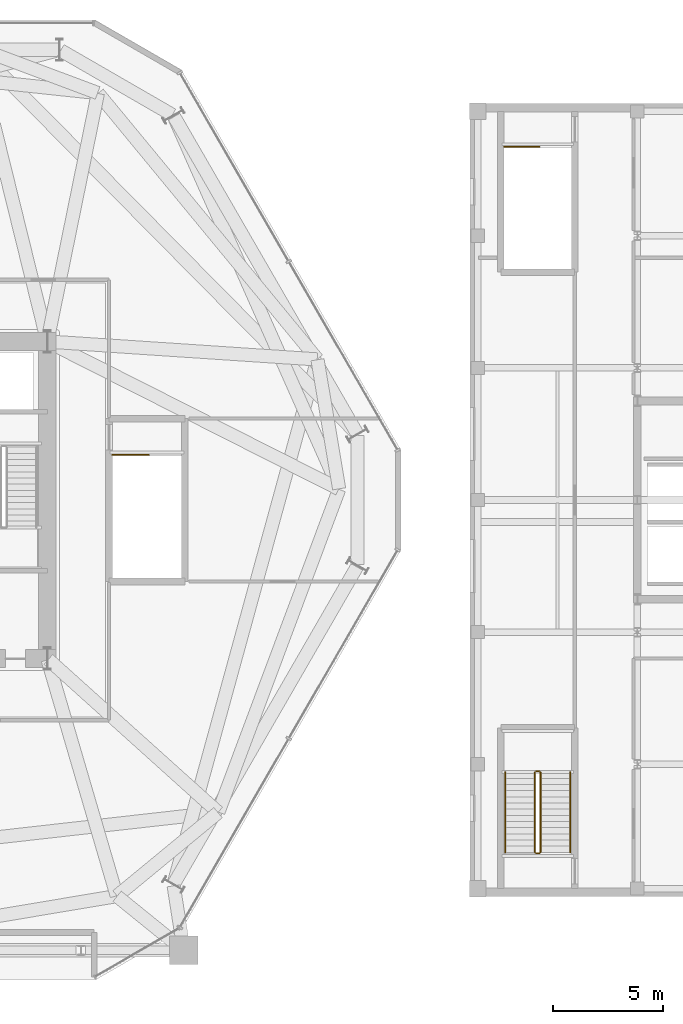
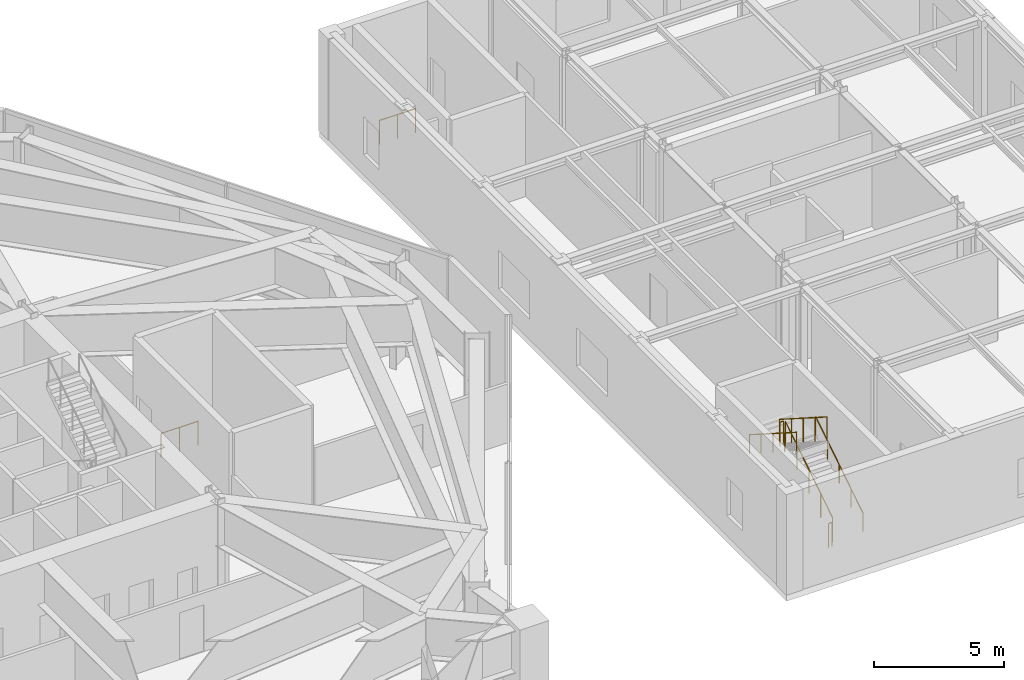
# One storey, part 16 of 16: 8 railings.
"""IFC4 building model written with IfcOpenShell, lengths in metres."""

from ifc_helpers import new_model, si_unit, direction, frame, origin, origin_2d, place, context, subcontext, project, spatial, circle, extrude, material, type_object, element, save


model = new_model("IFC4")

# Units and contexts
model_context = context("Model", 3, precision=1e-05, world=origin(), true_north=direction((0.0, 1.0)))
body_context = subcontext(model_context, "Body", "Model", "MODEL_VIEW")
ifc_project = project(units=[si_unit("LENGTHUNIT", "METRE"), si_unit("AREAUNIT", "SQUARE_METRE"), si_unit("VOLUMEUNIT", "CUBIC_METRE"), si_unit("PLANEANGLEUNIT", "RADIAN"), si_unit("MASSUNIT", "GRAM", prefix="KILO")], contexts=[model_context])

# Site, building, storey
site_placement = place(None, origin())
site = spatial("IfcSite", under=ifc_project, at=site_placement, CompositionType="ELEMENT")
building_placement = place(site_placement, origin())
building = spatial("IfcBuilding", under=site, at=building_placement, Name="Kranzbogen Civic Tower", CompositionType="ELEMENT")
storey_placement = place(building_placement, frame((0.0, 0.0, 19.0)))
storey = spatial("IfcBuildingStorey", under=building, at=storey_placement, Name="L04", CompositionType="ELEMENT", Elevation=19.0)

# Railings
ifc_material_1 = material(Name="Steel S355", Category="steel")
railing_type_1 = type_object("IfcRailingType", Name="Internal Stair and Void Steel Guardrail 1150", PredefinedType="GUARDRAIL", material=ifc_material_1)
railing_1_placement = place(storey_placement, frame((35.75, 27.050048828125, 0.0)))
element("IfcRailing", 1, at=railing_1_placement, inside=storey, type_object=railing_type_1, Name="L04 ST-P2 top well guard 1", PredefinedType="GUARDRAIL", context=body_context, shape_type="SweptSolid", body=[
    extrude(circle(Radius=0.02392578125, at=origin_2d()), frame((0.0, 0.0, 1.1259765625), z_axis=(1.0, 0.0, 0.0), x_axis=(0.0, 1.0, 0.0)), (0.0, 0.0, 1.0), 1.64990234375),
    extrude(circle(Radius=0.02099609375, at=origin_2d()), origin(), (0.0, 0.0, 1.0), 1.101806640625),
    extrude(circle(Radius=0.02099609375, at=origin_2d()), frame((0.824951171875, 0.0, 0.0)), (0.0, 0.0, 1.0), 1.101806640625),
    extrude(circle(Radius=0.02099609375, at=origin_2d()), frame((1.64990234375, 0.0, 0.0)), (0.0, 0.0, 1.0), 1.101806640625),
])
railing_2_placement = place(storey_placement, frame((55.199951171875, 9.0, 0.178466796875)))
element("IfcRailing", 2, at=railing_2_placement, inside=storey, type_object=railing_type_1, Name="L04 ST-H1 stair guard 1", PredefinedType="GUARDRAIL", context=body_context, shape_type="SweptSolid", body=[
    extrude(circle(Radius=0.02392578125, at=origin_2d()), frame((0.0, 0.0, 1.1259765625), z_axis=(0.0, 0.843111507901, 0.53773877045), x_axis=(-1.0, 0.0, 0.0)), (0.0, 0.0, 1.0), 4.317138671875),
    extrude(circle(Radius=0.02099609375, at=origin_2d()), origin(), (0.0, 0.0, 1.0), 1.101806640625),
    extrude(circle(Radius=0.02099609375, at=origin_2d()), frame((0.0, 0.909912109375, 0.580322265625)), (0.0, 0.0, 1.0), 1.101806640625),
    extrude(circle(Radius=0.02099609375, at=origin_2d()), frame((0.0, 1.81982421875, 1.16064453125)), (0.0, 0.0, 1.0), 1.101806640625),
    extrude(circle(Radius=0.02099609375, at=origin_2d()), frame((0.0, 2.72998046875, 1.7412109375)), (0.0, 0.0, 1.0), 1.101806640625),
    extrude(circle(Radius=0.02099609375, at=origin_2d()), frame((0.0, 3.639892578125, 2.321533203125)), (0.0, 0.0, 1.0), 1.101806640625),
])
railing_3_placement = place(storey_placement, frame((55.14990234375, 12.68994140625, 2.5)))
element("IfcRailing", 3, at=railing_3_placement, inside=storey, type_object=railing_type_1, Name="L04 ST-H1 stair guard 2", PredefinedType="GUARDRAIL", context=body_context, shape_type="SweptSolid", body=[
    extrude(circle(Radius=0.02392578125, at=origin_2d()), frame((0.0, 0.0, 1.1259765625), z_axis=(-1.0, 0.0, 0.0), x_axis=(0.0, -1.0, 0.0)), (0.0, 0.0, 1.0), 0.14990234375),
    extrude(circle(Radius=0.02099609375, at=origin_2d()), origin(), (0.0, 0.0, 1.0), 1.101806640625),
    extrude(circle(Radius=0.02099609375, at=origin_2d()), frame((-0.14990234375, 0.0, 0.0)), (0.0, 0.0, 1.0), 1.101806640625),
])
railing_4_placement = place(storey_placement, frame((54.949951171875, 12.639892578125, 2.678466796875)))
element("IfcRailing", 4, at=railing_4_placement, inside=storey, type_object=railing_type_1, Name="L04 ST-H1 stair guard 3", PredefinedType="GUARDRAIL", context=body_context, shape_type="SweptSolid", body=[
    extrude(circle(Radius=0.02392578125, at=origin_2d()), frame((0.0, 0.0, 1.1259765625), z_axis=(0.0, -0.843111507901, 0.53773877045), x_axis=(1.0, 0.0, 0.0)), (0.0, 0.0, 1.0), 4.317138671875),
    extrude(circle(Radius=0.02099609375, at=origin_2d()), origin(), (0.0, 0.0, 1.0), 1.101806640625),
    extrude(circle(Radius=0.02099609375, at=origin_2d()), frame((0.0, -0.909912109375, 0.580322265625)), (0.0, 0.0, 1.0), 1.101806640625),
    extrude(circle(Radius=0.02099609375, at=origin_2d()), frame((0.0, -1.81982421875, 1.16064453125)), (0.0, 0.0, 1.0), 1.101806640625),
    extrude(circle(Radius=0.02099609375, at=origin_2d()), frame((0.0, -2.72998046875, 1.7412109375)), (0.0, 0.0, 1.0), 1.101806640625),
    extrude(circle(Radius=0.02099609375, at=origin_2d()), frame((0.0, -3.639892578125, 2.321533203125)), (0.0, 0.0, 1.0), 1.101806640625),
])
railing_5_placement = place(storey_placement, frame((55.14990234375, 8.949951171875, 0.0)))
element("IfcRailing", 5, at=railing_5_placement, inside=storey, type_object=railing_type_1, Name="L04 ST-H1 stair guard 4", PredefinedType="GUARDRAIL", context=body_context, shape_type="SweptSolid", body=[
    extrude(circle(Radius=0.02392578125, at=origin_2d()), frame((0.0, 0.0, 1.1259765625), z_axis=(-1.0, 0.0, 0.0), x_axis=(0.0, -1.0, 0.0)), (0.0, 0.0, 1.0), 0.14990234375),
    extrude(circle(Radius=0.02099609375, at=origin_2d()), origin(), (0.0, 0.0, 1.0), 1.101806640625),
    extrude(circle(Radius=0.02099609375, at=origin_2d()), frame((-0.14990234375, 0.0, 0.0)), (0.0, 0.0, 1.0), 1.101806640625),
])
railing_6_placement = place(storey_placement, frame((53.550048828125, 41.050048828125, 0.0)))
element("IfcRailing", 6, at=railing_6_placement, inside=storey, type_object=railing_type_1, Name="L04 ST-H2 top well guard 1", PredefinedType="GUARDRAIL", context=body_context, shape_type="SweptSolid", body=[
    extrude(circle(Radius=0.02392578125, at=origin_2d()), frame((0.0, 0.0, 1.1259765625), z_axis=(1.0, 0.0, 0.0), x_axis=(0.0, 1.0, 0.0)), (0.0, 0.0, 1.0), 1.599853515625),
    extrude(circle(Radius=0.02099609375, at=origin_2d()), origin(), (0.0, 0.0, 1.0), 1.101806640625),
    extrude(circle(Radius=0.02099609375, at=origin_2d()), frame((0.7998046875, 0.0, 0.0)), (0.0, 0.0, 1.0), 1.101806640625),
    extrude(circle(Radius=0.02099609375, at=origin_2d()), frame((1.599853515625, 0.0, 0.0)), (0.0, 0.0, 1.0), 1.101806640625),
])
ifc_material_2 = material(Name="Pale Anodised Aluminium", Category="aluminium")
railing_type_2 = type_object("IfcRailingType", Name="Tubular Stainless Stair Wall Handrail 900", PredefinedType="HANDRAIL", material=ifc_material_2)
railing_7_placement = place(storey_placement, frame((56.550048828125, 9.0, 0.178466796875)))
element("IfcRailing", 7, at=railing_7_placement, inside=storey, type_object=railing_type_2, Name="L04 ST-H1 stair handrail 1", PredefinedType="HANDRAIL", context=body_context, shape_type="SweptSolid", body=[
    extrude(circle(Radius=0.02392578125, at=origin_2d()), frame((0.0, 0.0, 0.8759765625), z_axis=(0.0, 0.843111507901, 0.53773877045), x_axis=(-1.0, 0.0, 0.0)), (0.0, 0.0, 1.0), 4.317138671875),
    extrude(circle(Radius=0.02099609375, at=origin_2d()), origin(), (0.0, 0.0, 1.0), 0.851806640625),
    extrude(circle(Radius=0.02099609375, at=origin_2d()), frame((0.0, 0.909912109375, 0.580322265625)), (0.0, 0.0, 1.0), 0.851806640625),
    extrude(circle(Radius=0.02099609375, at=origin_2d()), frame((0.0, 1.81982421875, 1.16064453125)), (0.0, 0.0, 1.0), 0.851806640625),
    extrude(circle(Radius=0.02099609375, at=origin_2d()), frame((0.0, 2.72998046875, 1.7412109375)), (0.0, 0.0, 1.0), 0.851806640625),
    extrude(circle(Radius=0.02099609375, at=origin_2d()), frame((0.0, 3.639892578125, 2.321533203125)), (0.0, 0.0, 1.0), 0.851806640625),
])
railing_8_placement = place(storey_placement, frame((53.60009765625, 12.639892578125, 2.678466796875)))
element("IfcRailing", 8, at=railing_8_placement, inside=storey, type_object=railing_type_2, Name="L04 ST-H1 stair handrail 2", PredefinedType="HANDRAIL", context=body_context, shape_type="SweptSolid", body=[
    extrude(circle(Radius=0.02392578125, at=origin_2d()), frame((0.0, 0.0, 0.8759765625), z_axis=(0.0, -0.843111507901, 0.53773877045), x_axis=(1.0, 0.0, 0.0)), (0.0, 0.0, 1.0), 4.317138671875),
    extrude(circle(Radius=0.02099609375, at=origin_2d()), origin(), (0.0, 0.0, 1.0), 0.851806640625),
    extrude(circle(Radius=0.02099609375, at=origin_2d()), frame((0.0, -0.909912109375, 0.580322265625)), (0.0, 0.0, 1.0), 0.851806640625),
    extrude(circle(Radius=0.02099609375, at=origin_2d()), frame((0.0, -1.81982421875, 1.16064453125)), (0.0, 0.0, 1.0), 0.851806640625),
    extrude(circle(Radius=0.02099609375, at=origin_2d()), frame((0.0, -2.72998046875, 1.7412109375)), (0.0, 0.0, 1.0), 0.851806640625),
    extrude(circle(Radius=0.02099609375, at=origin_2d()), frame((0.0, -3.639892578125, 2.321533203125)), (0.0, 0.0, 1.0), 0.851806640625),
])

save(model, "model.ifc")
